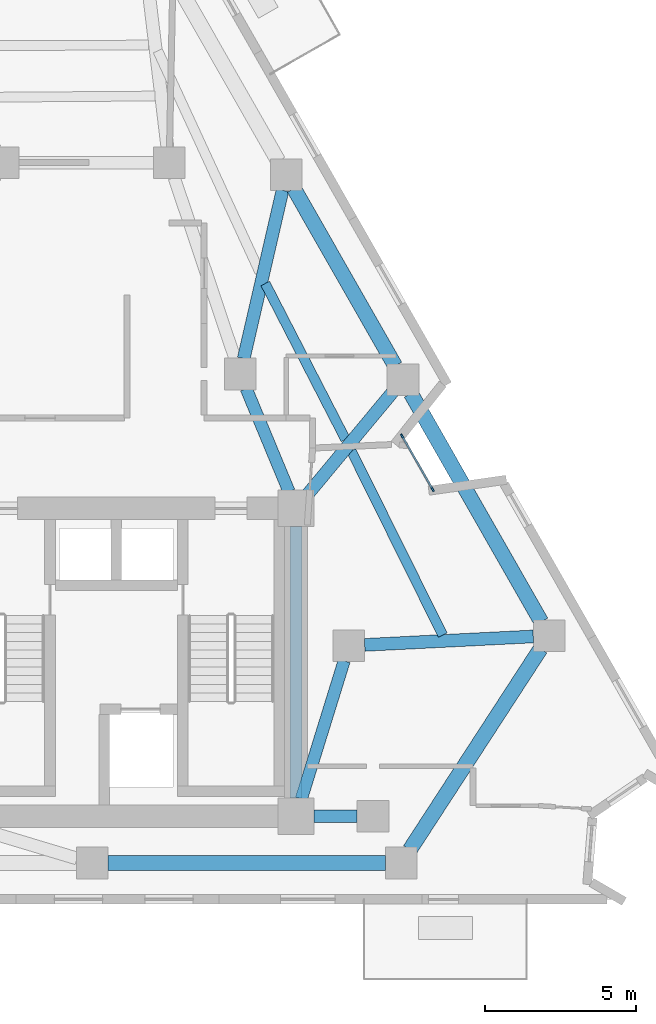
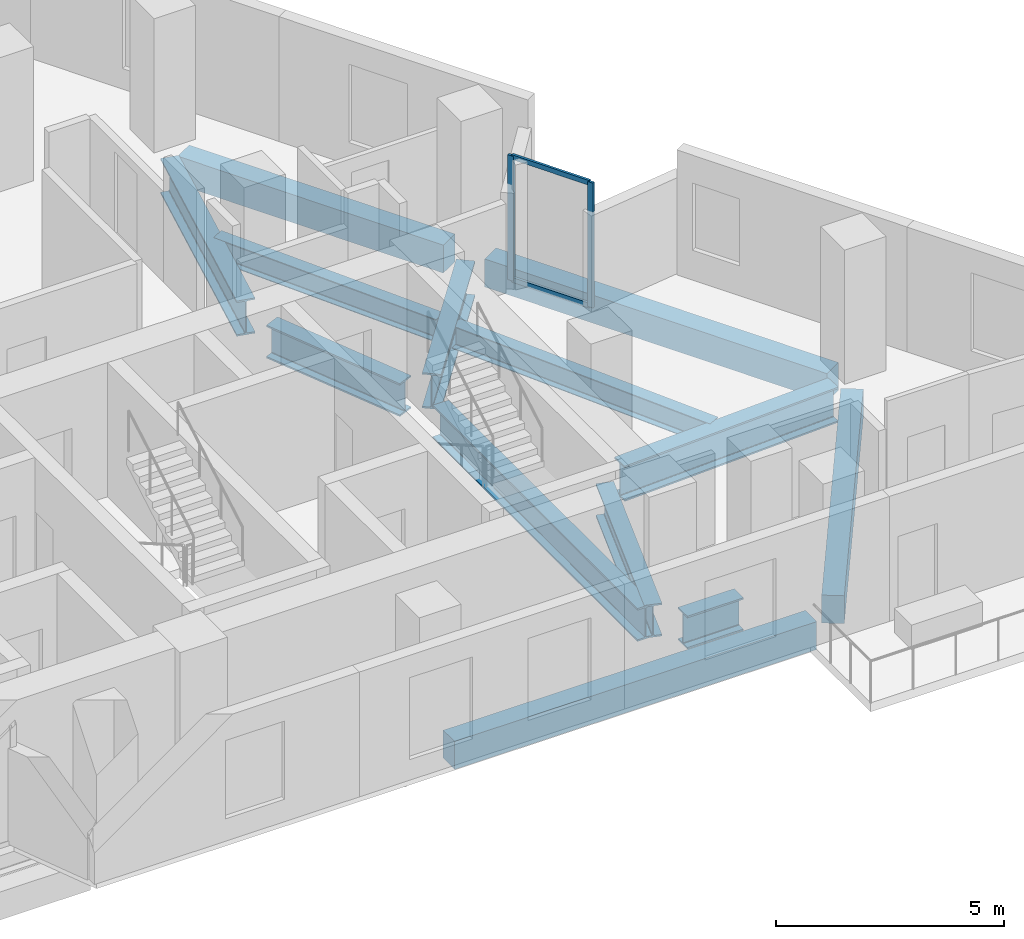
# One storey, part 4 of 12: 13 beams, 4 members, 1 element without a shape of its own.
"""IFC4 building model written with IfcOpenShell, lengths in metres."""

from ifc_helpers import new_model, si_unit, direction, frame, origin, origin_2d, place, context, subcontext, project, spatial, rectangle, i_section, extrude, material, layer, layer_set, material_profile, profile_set, type_object, element, aggregate, save


model = new_model("IFC4")

# Units and contexts
model_context = context("Model", 3, precision=1e-05, world=origin(), true_north=direction((0.0, 1.0)))
body_context = subcontext(model_context, "Body", "Model", "MODEL_VIEW")
ifc_project = project(units=[si_unit("LENGTHUNIT", "METRE"), si_unit("AREAUNIT", "SQUARE_METRE"), si_unit("VOLUMEUNIT", "CUBIC_METRE"), si_unit("PLANEANGLEUNIT", "RADIAN"), si_unit("MASSUNIT", "GRAM", prefix="KILO")], contexts=[model_context])

# Site, building, storey
site_placement = place(None, origin())
site = spatial("IfcSite", under=ifc_project, at=site_placement, CompositionType="ELEMENT")
building_placement = place(site_placement, origin())
building = spatial("IfcBuilding", under=site, at=building_placement, Name="Almagre Mirador Tower", CompositionType="ELEMENT")
storey_placement = place(building_placement, frame((0.0, 0.0, 139.199951171875)))
storey = spatial("IfcBuildingStorey", under=building, at=storey_placement, Name="L35", CompositionType="ELEMENT", Elevation=139.199951171875)

# Beams
ifc_material_1 = material(Name="Steel ASTM A992 Grade 50", Category="steel")
ifc_material_profile_1 = material_profile(ifc_material_1, i_section(OverallWidth=0.323974609375, OverallDepth=0.611083984375, WebThickness=0.0126953125, FlangeThickness=0.01904296875, FilletRadius=0.02001953125, at=origin_2d()), Name="W24X104")
ifc_profile_set_1 = profile_set([ifc_material_profile_1], Name="Steel ASTM A992 Grade 50")
beam_type_1 = type_object("IfcBeamType", Name="BM-JST-W24X104", PredefinedType="JOIST", material=ifc_profile_set_1)
beam_1_placement = place(storey_placement, frame((51.911376953125, 10.55029296875, -0.555419921875), z_axis=(-0.444459142838, 0.895799123882, 0.0), x_axis=(-0.895799123882, -0.444459142838, 0.0)))
element("IfcBeam", 1, at=beam_1_placement, inside=storey, type_object=beam_type_1, Name="L35 secondary floor joist PC05-PC06.2", PredefinedType="JOIST", context=body_context, shape_type="SweptSolid", body=[
    extrude(i_section(OverallWidth=0.323974609375, OverallDepth=0.611083984375, WebThickness=0.0126953125, FlangeThickness=0.01904296875, FilletRadius=0.02001953125, at=origin_2d()), origin(), (0.0, 0.0, 1.0), 6.8125),
])
beam_2_placement = place(storey_placement, frame((48.692626953125, 17.030517578125, -0.555419921875), z_axis=(-0.457699093765, 0.889107158653, 0.0), x_axis=(-0.889107158653, -0.457699093765, 0.0)))
element("IfcBeam", 2, at=beam_2_placement, inside=storey, type_object=beam_type_1, Name="L35 secondary floor joist PC06-PC07.2", PredefinedType="JOIST", context=body_context, shape_type="SweptSolid", body=[
    extrude(i_section(OverallWidth=0.323974609375, OverallDepth=0.611083984375, WebThickness=0.0126953125, FlangeThickness=0.01904296875, FilletRadius=0.02001953125, at=origin_2d()), origin(), (0.0, 0.0, 1.0), 5.81298828125),
])
ifc_material_2 = material(Name="Precast concrete C50/60", Category="concrete")
ifc_material_profile_2 = material_profile(ifc_material_2, rectangle(XDim=0.5, YDim=0.75, at=origin_2d()), Name="RC500X750")
ifc_profile_set_2 = profile_set([ifc_material_profile_2], Name="Precast concrete C50/60")
beam_type_2 = type_object("IfcBeamType", Name="BM-SPN-RC500X750", PredefinedType="SPANDREL", material=ifc_profile_set_2)
beam_3_placement = place(storey_placement, frame((40.821044921875, 3.0, -0.625), z_axis=(1.0, 0.0, 0.0), x_axis=(0.0, 1.0, 0.0)))
element("IfcBeam", 3, at=beam_3_placement, inside=storey, type_object=beam_type_2, Name="L35 perimeter spandrel beam PC03-PC04", PredefinedType="SPANDREL", context=body_context, shape_type="SweptSolid", body=[
    extrude(rectangle(XDim=0.5, YDim=0.75, at=origin_2d()), origin(), (0.0, 0.0, 1.0), 9.18994140625),
])
beam_4_placement = place(storey_placement, frame((50.822265625, 3.440185546875, -0.625), z_axis=(0.545085674256, 0.838380347885, 0.0), x_axis=(-0.838380347885, 0.545085674256, 0.0)))
element("IfcBeam", 4, at=beam_4_placement, inside=storey, type_object=beam_type_2, Name="L35 perimeter spandrel beam PC04-PC05", PredefinedType="SPANDREL", context=body_context, shape_type="SweptSolid", body=[
    extrude(rectangle(XDim=0.5, YDim=0.75, at=origin_2d()), origin(), (0.0, 0.0, 1.0), 7.935302734375),
])
beam_5_placement = place(storey_placement, frame((55.173828125, 10.989013671875, -0.625), z_axis=(-0.495713443993, 0.868486143496, 0.0), x_axis=(-0.868486143496, -0.495713443993, 0.0)))
element("IfcBeam", 5, at=beam_5_placement, inside=storey, type_object=beam_type_2, Name="L35 perimeter spandrel beam PC05-PC06", PredefinedType="SPANDREL", context=body_context, shape_type="SweptSolid", body=[
    extrude(rectangle(XDim=0.5, YDim=0.75, at=origin_2d()), origin(), (0.0, 0.0, 1.0), 8.7138671875),
])
beam_6_placement = place(storey_placement, frame((50.333740234375, 19.468994140625, -0.625), z_axis=(-0.495703346728, 0.868491906723, 0.0), x_axis=(-0.868491906723, -0.495703346728, 0.0)))
element("IfcBeam", 6, at=beam_6_placement, inside=storey, type_object=beam_type_2, Name="L35 perimeter spandrel beam PC06-PC07", PredefinedType="SPANDREL", context=body_context, shape_type="SweptSolid", body=[
    extrude(rectangle(XDim=0.5, YDim=0.75, at=origin_2d()), origin(), (0.0, 0.0, 1.0), 6.76123046875),
])
ifc_material_3 = material(Name="Steel ASTM A992 Grade 50", Category="steel")
ifc_material_profile_3 = material_profile(ifc_material_3, i_section(OverallWidth=0.404052734375, OverallDepth=0.884033203125, WebThickness=0.0244140625, FlangeThickness=0.0439453125, FilletRadius=0.02490234375, at=origin_2d()), Name="W33X291")
ifc_profile_set_3 = profile_set([ifc_material_profile_3], Name="Steel ASTM A992 Grade 50")
beam_type_3 = type_object("IfcBeamType", Name="BM-STL-W33X291", PredefinedType="BEAM", material=ifc_profile_set_3)
beam_7_placement = place(storey_placement, frame((47.050048828125, 5.14990234375, -0.69189453125), z_axis=(0.0, 1.0, 0.0), x_axis=(-1.0, 0.0, 0.0)))
element("IfcBeam", 7, at=beam_7_placement, inside=storey, type_object=beam_type_3, Name="L35 core tie girder CC3-CC6", PredefinedType="BEAM", context=body_context, shape_type="SweptSolid", body=[
    extrude(i_section(OverallWidth=0.404052734375, OverallDepth=0.884033203125, WebThickness=0.0244140625, FlangeThickness=0.0439453125, FilletRadius=0.02490234375, at=origin_2d()), origin(), (0.0, 0.0, 1.0), 9.0),
])
beam_8_placement = place(storey_placement, frame((49.074951171875, 4.550048828125, -0.69189453125), z_axis=(-1.0, 0.0, 0.0), x_axis=(0.0, -1.0, 0.0)))
element("IfcBeam", 8, at=beam_8_placement, inside=storey, type_object=beam_type_3, Name="L35 core tie girder MC2-CC3", PredefinedType="BEAM", context=body_context, shape_type="SweptSolid", body=[
    extrude(i_section(OverallWidth=0.404052734375, OverallDepth=0.884033203125, WebThickness=0.0244140625, FlangeThickness=0.0439453125, FilletRadius=0.02490234375, at=origin_2d()), origin(), (0.0, 0.0, 1.0), 1.425048828125),
])
beam_9_placement = place(storey_placement, frame((48.644775390625, 9.698486328125, -0.69189453125), z_axis=(-0.295879743348, -0.955225197258, 0.0), x_axis=(0.955225197258, -0.295879743348, 0.0)))
element("IfcBeam", 9, at=beam_9_placement, inside=storey, type_object=beam_type_3, Name="L35 core tie girder MC3-CC3", PredefinedType="BEAM", context=body_context, shape_type="SweptSolid", body=[
    extrude(i_section(OverallWidth=0.404052734375, OverallDepth=0.884033203125, WebThickness=0.0244140625, FlangeThickness=0.0439453125, FilletRadius=0.02490234375, at=origin_2d()), origin(), (0.0, 0.0, 1.0), 4.789794921875),
])
beam_10_placement = place(storey_placement, frame((45.401611328125, 18.715087890625, -0.69189453125), z_axis=(0.383845645019, -0.923397271384, 0.0), x_axis=(0.923397271384, 0.383845645019, 0.0)))
element("IfcBeam", 10, at=beam_10_placement, inside=storey, type_object=beam_type_3, Name="L35 core tie girder MC5-CC6", PredefinedType="BEAM", context=body_context, shape_type="SweptSolid", body=[
    extrude(i_section(OverallWidth=0.404052734375, OverallDepth=0.884033203125, WebThickness=0.0244140625, FlangeThickness=0.0439453125, FilletRadius=0.02490234375, at=origin_2d()), origin(), (0.0, 0.0, 1.0), 3.694091796875),
])
ifc_material_4 = material(Name="Steel ASTM A992 Grade 50", Category="steel")
ifc_material_profile_4 = material_profile(ifc_material_4, i_section(OverallWidth=0.423095703125, OverallDepth=0.947998046875, WebThickness=0.02392578125, FlangeThickness=0.042724609375, FilletRadius=0.028076171875, at=origin_2d()), Name="W36X302")
ifc_profile_set_4 = profile_set([ifc_material_profile_4], Name="Steel ASTM A992 Grade 50")
beam_type_4 = type_object("IfcBeamType", Name="BM-STL-W36X302", PredefinedType="BEAM", material=ifc_profile_set_4)
beam_11_placement = place(storey_placement, frame((54.90966796875, 10.506591796875, -0.723876953125), z_axis=(-0.998743395924, -0.050116156068, 0.0), x_axis=(0.050116156068, -0.998743395924, 0.0)))
element("IfcBeam", 11, at=beam_11_placement, inside=storey, type_object=beam_type_4, Name="L35 radial floor girder PC05-MC3", PredefinedType="BEAM", context=body_context, shape_type="SweptSolid", body=[
    extrude(i_section(OverallWidth=0.423095703125, OverallDepth=0.947998046875, WebThickness=0.02392578125, FlangeThickness=0.042724609375, FilletRadius=0.028076171875, at=origin_2d()), origin(), (0.0, 0.0, 1.0), 5.592529296875),
])
beam_12_placement = place(storey_placement, frame((50.25830078125, 18.609375, -0.723876953125), z_axis=(-0.639260058881, -0.768990622257, 0.0), x_axis=(0.768990622257, -0.639260058881, 0.0)))
element("IfcBeam", 12, at=beam_12_placement, inside=storey, type_object=beam_type_4, Name="L35 radial floor girder PC06-CC6", PredefinedType="BEAM", context=body_context, shape_type="SweptSolid", body=[
    extrude(i_section(OverallWidth=0.423095703125, OverallDepth=0.947998046875, WebThickness=0.02392578125, FlangeThickness=0.042724609375, FilletRadius=0.028076171875, at=origin_2d()), origin(), (0.0, 0.0, 1.0), 4.418701171875),
])
beam_13_placement = place(storey_placement, frame((46.60400390625, 25.285400390625, -0.723876953125), z_axis=(-0.224800280545, -0.974404861373, 0.0), x_axis=(0.974404861373, -0.224800280545, 0.0)))
element("IfcBeam", 13, at=beam_13_placement, inside=storey, type_object=beam_type_4, Name="L35 radial floor girder PC07-MC5", PredefinedType="BEAM", context=body_context, shape_type="SweptSolid", body=[
    extrude(i_section(OverallWidth=0.423095703125, OverallDepth=0.947998046875, WebThickness=0.02392578125, FlangeThickness=0.042724609375, FilletRadius=0.028076171875, at=origin_2d()), origin(), (0.0, 0.0, 1.0), 5.72021484375),
])

# Curtain wall, members
ifc_material_5 = material(Name="Black anodized aluminium", Category="aluminium")
ifc_layer = layer(ifc_material_5, 0.169921875)
ifc_layer_set = layer_set([ifc_layer], Name="Black anodized aluminium")
curtain_wall_type = type_object("IfcCurtainWallType", Name="CW-CRS-SYS", PredefinedType="NOTDEFINED", material=ifc_layer_set)
curtain_wall_placement = place(storey_placement, origin())
curtain_wall = element("IfcCurtainWall", 14, at=curtain_wall_placement, inside=storey, type_object=curtain_wall_type, Name="L35 vertical crease curtain wall 03", PredefinedType="NOTDEFINED")
ifc_material_6 = material(Name="Black anodized aluminium", Category="aluminium")
ifc_material_profile_5 = material_profile(ifc_material_6, rectangle(XDim=0.06005859375, YDim=0.14990234375, at=origin_2d()), Name="CWM60X150")
ifc_profile_set_5 = profile_set([ifc_material_profile_5], Name="Black anodized aluminium")
member_type_1 = type_object("IfcMemberType", Name="MBR-CWM60X150", PredefinedType="MULLION", material=ifc_profile_set_5)
member_1_placement = place(storey_placement, frame((50.56689453125, 17.14404296875, 0.0), z_axis=(0.0, 0.0, 1.0), x_axis=(0.868596129614, 0.495520699487, 0.0)))
member_1 = element("IfcMember", 15, at=member_1_placement, type_object=member_type_1, Name="CW-4 mullion 1", PredefinedType="MULLION", context=body_context, shape_type="SweptSolid", body=[
    extrude(rectangle(XDim=0.06005859375, YDim=0.14990234375, at=origin_2d()), origin(), (0.0, 0.0, 1.0), 3.35009765625),
])
member_2_placement = place(storey_placement, frame((51.5732421875, 15.380126953125, 0.0), z_axis=(0.0, 0.0, 1.0), x_axis=(0.868596129614, 0.495520699487, 0.0)))
member_2 = element("IfcMember", 16, at=member_2_placement, type_object=member_type_1, Name="CW-4 mullion 2", PredefinedType="MULLION", context=body_context, shape_type="SweptSolid", body=[
    extrude(rectangle(XDim=0.06005859375, YDim=0.14990234375, at=origin_2d()), origin(), (0.0, 0.0, 1.0), 3.35009765625),
])
ifc_material_7 = material(Name="Black anodized aluminium", Category="aluminium")
ifc_material_profile_6 = material_profile(ifc_material_7, rectangle(XDim=0.06005859375, YDim=0.1298828125, at=origin_2d()), Name="CWT60X130")
ifc_profile_set_6 = profile_set([ifc_material_profile_6], Name="Black anodized aluminium")
member_type_2 = type_object("IfcMemberType", Name="MBR-CWT60X130", PredefinedType="USERDEFINED", material=ifc_profile_set_6)
member_3_placement = place(storey_placement, frame((50.581787109375, 17.117919921875, 0.030029296875), z_axis=(0.495498466947, -0.868608812558, 0.0), x_axis=(0.868608812558, 0.495498466947, 0.0)))
member_3 = element("IfcMember", 17, at=member_3_placement, type_object=member_type_2, Name="CW-4 transom 1.1", ObjectType="TRANSOM", PredefinedType="USERDEFINED", context=body_context, shape_type="SweptSolid", body=[
    extrude(rectangle(XDim=0.06005859375, YDim=0.1298828125, at=origin_2d()), origin(), (0.0, 0.0, 1.0), 1.970947265625),
])
member_4_placement = place(storey_placement, frame((50.581787109375, 17.117919921875, 3.320068359375), z_axis=(0.495498466947, -0.868608812558, 0.0), x_axis=(0.868608812558, 0.495498466947, 0.0)))
member_4 = element("IfcMember", 18, at=member_4_placement, type_object=member_type_2, Name="CW-4 transom 1.2", ObjectType="TRANSOM", PredefinedType="USERDEFINED", context=body_context, shape_type="SweptSolid", body=[
    extrude(rectangle(XDim=0.06005859375, YDim=0.1298828125, at=origin_2d()), origin(), (0.0, 0.0, 1.0), 1.970947265625),
])
aggregate(curtain_wall, [member_1, member_2, member_3, member_4])

save(model, "model.ifc")
